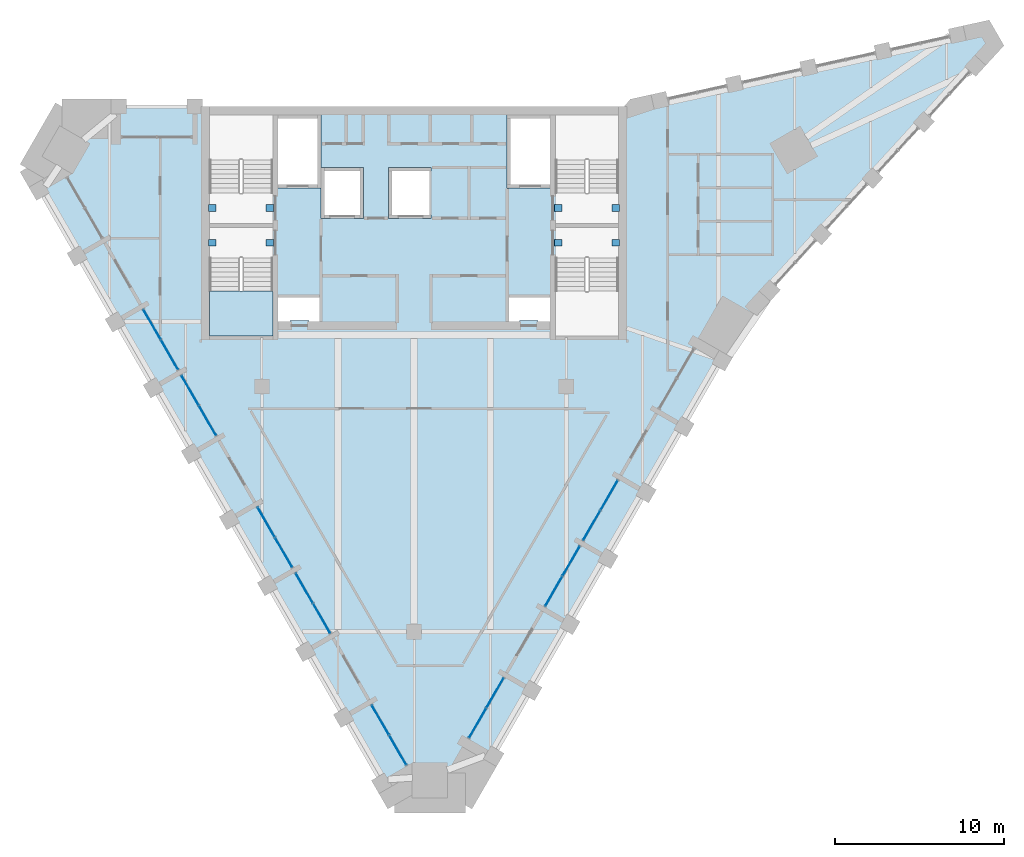
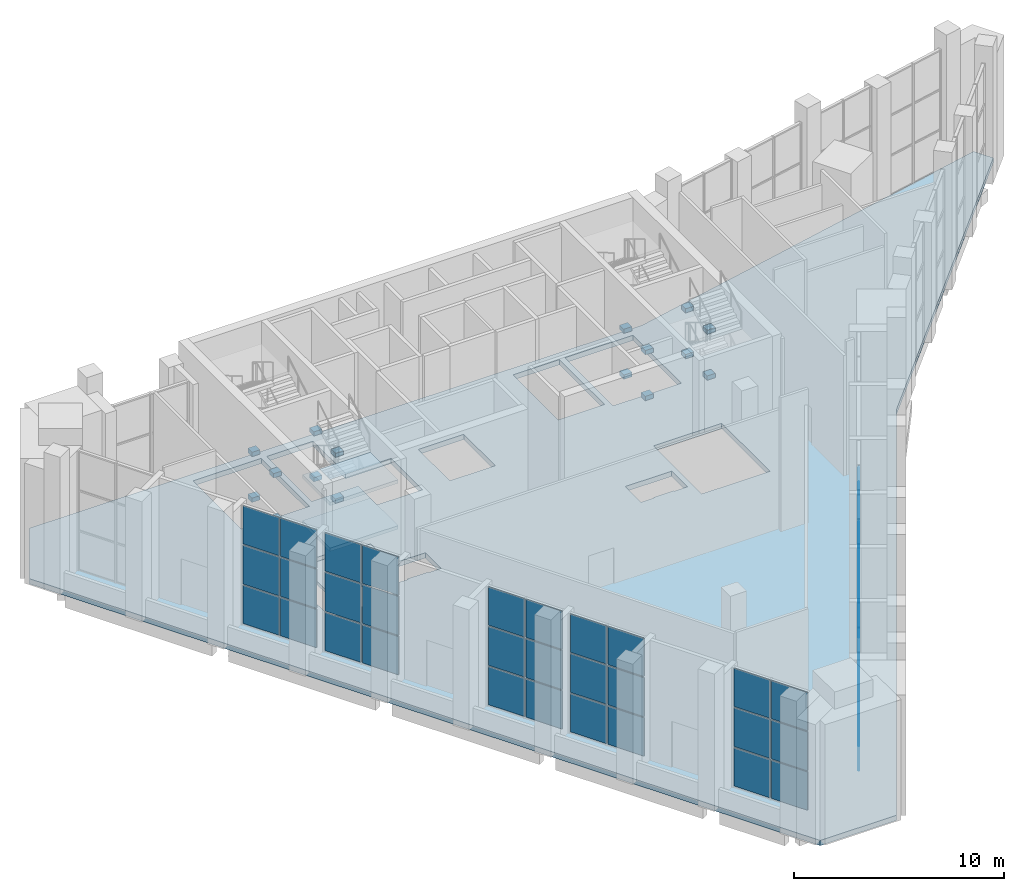
# One storey, part 8 of 16: 47 plates, 16 beams, 4 slabs, 9 elements without a shape of their own.
"""IFC4 building model written with IfcOpenShell, lengths in metres."""

from ifc_helpers import new_model, si_unit, direction, frame, origin, origin_2d, place, context, subcontext, project, spatial, polyline, rectangle, outline, extrude, material, layer, layer_set, material_profile, profile_set, type_object, element, aggregate, save


model = new_model("IFC4")

# Units and contexts
model_context = context("Model", 3, precision=1e-05, world=origin(), true_north=direction((0.0, 1.0)))
body_context = subcontext(model_context, "Body", "Model", "MODEL_VIEW")
ifc_project = project(units=[si_unit("LENGTHUNIT", "METRE"), si_unit("AREAUNIT", "SQUARE_METRE"), si_unit("VOLUMEUNIT", "CUBIC_METRE"), si_unit("PLANEANGLEUNIT", "RADIAN"), si_unit("MASSUNIT", "GRAM", prefix="KILO")], contexts=[model_context])

# Site, building, storey
site_placement = place(None, origin())
site = spatial("IfcSite", under=ifc_project, at=site_placement, CompositionType="ELEMENT")
building_placement = place(site_placement, origin())
building = spatial("IfcBuilding", under=site, at=building_placement, Name="Calabash Gate Tower", CompositionType="ELEMENT")
storey_placement = place(building_placement, frame((0.0, 0.0, 302.5)))
storey = spatial("IfcBuildingStorey", under=building, at=storey_placement, Name="L72", CompositionType="ELEMENT", Elevation=302.5)

# Beams
ifc_material_1 = material(Name="Concrete C60/75", Category="concrete")
ifc_material_profile = material_profile(ifc_material_1, rectangle(XDim=0.39990234375, YDim=0.25, at=origin_2d()))
ifc_profile_set = profile_set([ifc_material_profile], Name="Concrete C60/75")
beam_type = type_object("IfcBeamType", Name="Landing corbel RC 400x250 Concrete C60/75", PredefinedType="BEAM", material=ifc_profile_set)
for number, where, z_axis, x_axis, name in (
    (1, (-12.14990234375, 13.052978515625, 2.341064453125), (1.0, 0.0, 0.0), (0.0, 1.0, 0.0), "Landing corbel ST1-L72/L2 west"),
    (2, (-8.300048828125, 13.052978515625, 2.341064453125), (-1.0, 0.0, 0.0), (0.0, -1.0, 0.0), "Landing corbel ST1-L72/L2 east"),
    (3, (-12.14990234375, 13.052978515625, 5.007080078125), (1.0, 0.0, 0.0), (0.0, 1.0, 0.0), "Landing corbel ST1-L72/L4 west"),
    (4, (-8.300048828125, 13.052978515625, 5.007080078125), (-1.0, 0.0, 0.0), (0.0, -1.0, 0.0), "Landing corbel ST1-L72/L4 east"),
    (5, (-12.14990234375, 11.0029296875, 2.341064453125), (1.0, 0.0, 0.0), (0.0, 1.0, 0.0), "Landing corbel ST2-L72/L2 west"),
    (6, (-8.300048828125, 11.0029296875, 2.341064453125), (-1.0, 0.0, 0.0), (0.0, -1.0, 0.0), "Landing corbel ST2-L72/L2 east"),
    (7, (-12.14990234375, 11.0029296875, 5.007080078125), (1.0, 0.0, 0.0), (0.0, 1.0, 0.0), "Landing corbel ST2-L72/L4 west"),
    (8, (-8.300048828125, 11.0029296875, 5.007080078125), (-1.0, 0.0, 0.0), (0.0, -1.0, 0.0), "Landing corbel ST2-L72/L4 east"),
    (9, (8.300048828125, 13.052978515625, 2.341064453125), (1.0, 0.0, 0.0), (0.0, 1.0, 0.0), "Landing corbel ST3-L72/L2 west"),
    (10, (12.14990234375, 13.052978515625, 2.341064453125), (-1.0, 0.0, 0.0), (0.0, -1.0, 0.0), "Landing corbel ST3-L72/L2 east"),
    (11, (8.300048828125, 13.052978515625, 5.007080078125), (1.0, 0.0, 0.0), (0.0, 1.0, 0.0), "Landing corbel ST3-L72/L4 west"),
    (12, (12.14990234375, 13.052978515625, 5.007080078125), (-1.0, 0.0, 0.0), (0.0, -1.0, 0.0), "Landing corbel ST3-L72/L4 east"),
    (13, (8.300048828125, 11.0029296875, 2.341064453125), (1.0, 0.0, 0.0), (0.0, 1.0, 0.0), "Landing corbel ST4-L72/L2 west"),
    (14, (12.14990234375, 11.0029296875, 2.341064453125), (-1.0, 0.0, 0.0), (0.0, -1.0, 0.0), "Landing corbel ST4-L72/L2 east"),
    (15, (8.300048828125, 11.0029296875, 5.007080078125), (1.0, 0.0, 0.0), (0.0, 1.0, 0.0), "Landing corbel ST4-L72/L4 west"),
    (16, (12.14990234375, 11.0029296875, 5.007080078125), (-1.0, 0.0, 0.0), (0.0, -1.0, 0.0), "Landing corbel ST4-L72/L4 east"),
):
    element("IfcBeam", number, at=place(storey_placement, frame(where, z_axis=z_axis, x_axis=x_axis)), inside=storey, type_object=beam_type, Name=name, PredefinedType="BEAM", context=body_context, shape_type="SweptSolid", body=[
        extrude(rectangle(XDim=0.39990234375, YDim=0.25, at=origin_2d()), origin(), (0.0, 0.0, 1.0), 0.449951171875),
    ])

# Curtain wall, plates
ifc_material_2 = material(Name="Anodised aluminium frame, bronze finish, clear laminated impact-rated glazing", Category="aluminium")
curtain_wall_type = type_object("IfcCurtainWallType", Name="Curtain wall CWO observation deck wall", PredefinedType="NOTDEFINED", material=ifc_material_2)
curtain_wall_1_placement = place(storey_placement, origin())
curtain_wall_1 = element("IfcCurtainWall", 17, at=curtain_wall_1_placement, inside=storey, type_object=curtain_wall_type, Name="Curtain wall CWO L72 SW0.3", PredefinedType="NOTDEFINED")
ifc_material_3 = material(Name="Clear laminated impact-rated glazing", Category="glass")
ifc_layer_1 = layer(ifc_material_3, 0.0439453125)
ifc_layer_set_1 = layer_set([ifc_layer_1], Name="Glass panel CWO 44")
plate_type = type_object("IfcPlateType", Name="Glass panel CWO 44", PredefinedType="CURTAIN_PANEL", material=ifc_layer_set_1)
plate_1_placement = place(storey_placement, frame((-15.49365234375, 6.17041015625, 0.07470703125), z_axis=(0.0, 0.0, 1.0), x_axis=(0.499999968652, -0.866025421884, 0.0)))
plate_1 = element("IfcPlate", 18, at=plate_1_placement, type_object=plate_type, Name="CWO panel 1.1", PredefinedType="CURTAIN_PANEL", context=body_context, shape_type="SweptSolid", body=[
    extrude(rectangle(XDim=1.987548828125, YDim=0.0439453125, at=origin_2d()), origin(), (0.0, 0.0, 1.0), 2.220947265625),
])
plate_2_placement = place(storey_placement, frame((-15.49365234375, 6.17041015625, 2.370849609375), z_axis=(0.0, 0.0, 1.0), x_axis=(0.499999968652, -0.866025421884, 0.0)))
plate_2 = element("IfcPlate", 19, at=plate_2_placement, type_object=plate_type, Name="CWO panel 1.2", PredefinedType="CURTAIN_PANEL", context=body_context, shape_type="SweptSolid", body=[
    extrude(rectangle(XDim=1.987548828125, YDim=0.0439453125, at=origin_2d()), origin(), (0.0, 0.0, 1.0), 2.25830078125),
])
plate_3_placement = place(storey_placement, frame((-15.49365234375, 6.17041015625, 4.7041015625), z_axis=(0.0, 0.0, 1.0), x_axis=(0.499999968652, -0.866025421884, 0.0)))
plate_3 = element("IfcPlate", 20, at=plate_3_placement, type_object=plate_type, Name="CWO panel 1.3", PredefinedType="CURTAIN_PANEL", context=body_context, shape_type="SweptSolid", body=[
    extrude(rectangle(XDim=1.987548828125, YDim=0.0439453125, at=origin_2d()), origin(), (0.0, 0.0, 1.0), 2.220947265625),
])
plate_4_placement = place(storey_placement, frame((-14.46240234375, 4.38427734375, 0.07470703125), z_axis=(0.0, 0.0, 1.0), x_axis=(0.499999968652, -0.866025421884, 0.0)))
plate_4 = element("IfcPlate", 21, at=plate_4_placement, type_object=plate_type, Name="CWO panel 2.1", PredefinedType="CURTAIN_PANEL", context=body_context, shape_type="SweptSolid", body=[
    extrude(rectangle(XDim=1.987548828125, YDim=0.0439453125, at=origin_2d()), origin(), (0.0, 0.0, 1.0), 2.220947265625),
])
plate_5_placement = place(storey_placement, frame((-14.46240234375, 4.38427734375, 2.370849609375), z_axis=(0.0, 0.0, 1.0), x_axis=(0.499999968652, -0.866025421884, 0.0)))
plate_5 = element("IfcPlate", 22, at=plate_5_placement, type_object=plate_type, Name="CWO panel 2.2", PredefinedType="CURTAIN_PANEL", context=body_context, shape_type="SweptSolid", body=[
    extrude(rectangle(XDim=1.987548828125, YDim=0.0439453125, at=origin_2d()), origin(), (0.0, 0.0, 1.0), 2.25830078125),
])
plate_6_placement = place(storey_placement, frame((-14.46240234375, 4.38427734375, 4.7041015625), z_axis=(0.0, 0.0, 1.0), x_axis=(0.499999968652, -0.866025421884, 0.0)))
plate_6 = element("IfcPlate", 23, at=plate_6_placement, type_object=plate_type, Name="CWO panel 2.3", PredefinedType="CURTAIN_PANEL", context=body_context, shape_type="SweptSolid", body=[
    extrude(rectangle(XDim=1.987548828125, YDim=0.0439453125, at=origin_2d()), origin(), (0.0, 0.0, 1.0), 2.220947265625),
])
aggregate(curtain_wall_1, [plate_1, plate_2, plate_3, plate_4, plate_5, plate_6])

curtain_wall_2_placement = place(storey_placement, origin())
curtain_wall_2 = element("IfcCurtainWall", 24, at=curtain_wall_2_placement, inside=storey, type_object=curtain_wall_type, Name="Curtain wall CWO L72 SW0.4", PredefinedType="NOTDEFINED")
plate_7_placement = place(storey_placement, frame((-13.24365234375, 2.273193359375, 0.07470703125), z_axis=(0.0, 0.0, 1.0), x_axis=(0.500000071751, -0.866025362359, 0.0)))
plate_7 = element("IfcPlate", 25, at=plate_7_placement, type_object=plate_type, Name="CWO panel 1.1", PredefinedType="CURTAIN_PANEL", context=body_context, shape_type="SweptSolid", body=[
    extrude(rectangle(XDim=1.987548828125, YDim=0.0439453125, at=origin_2d()), origin(), (0.0, 0.0, 1.0), 2.220947265625),
])
plate_8_placement = place(storey_placement, frame((-13.24365234375, 2.273193359375, 2.370849609375), z_axis=(0.0, 0.0, 1.0), x_axis=(0.500000071751, -0.866025362359, 0.0)))
plate_8 = element("IfcPlate", 26, at=plate_8_placement, type_object=plate_type, Name="CWO panel 1.2", PredefinedType="CURTAIN_PANEL", context=body_context, shape_type="SweptSolid", body=[
    extrude(rectangle(XDim=1.987548828125, YDim=0.0439453125, at=origin_2d()), origin(), (0.0, 0.0, 1.0), 2.25830078125),
])
plate_9_placement = place(storey_placement, frame((-13.24365234375, 2.273193359375, 4.7041015625), z_axis=(0.0, 0.0, 1.0), x_axis=(0.500000071751, -0.866025362359, 0.0)))
plate_9 = element("IfcPlate", 27, at=plate_9_placement, type_object=plate_type, Name="CWO panel 1.3", PredefinedType="CURTAIN_PANEL", context=body_context, shape_type="SweptSolid", body=[
    extrude(rectangle(XDim=1.987548828125, YDim=0.0439453125, at=origin_2d()), origin(), (0.0, 0.0, 1.0), 2.220947265625),
])
plate_10_placement = place(storey_placement, frame((-12.21240234375, 0.487060546875, 0.07470703125), z_axis=(0.0, 0.0, 1.0), x_axis=(0.500000071751, -0.866025362359, 0.0)))
plate_10 = element("IfcPlate", 28, at=plate_10_placement, type_object=plate_type, Name="CWO panel 2.1", PredefinedType="CURTAIN_PANEL", context=body_context, shape_type="SweptSolid", body=[
    extrude(rectangle(XDim=1.987548828125, YDim=0.0439453125, at=origin_2d()), origin(), (0.0, 0.0, 1.0), 2.220947265625),
])
plate_11_placement = place(storey_placement, frame((-12.21240234375, 0.487060546875, 2.370849609375), z_axis=(0.0, 0.0, 1.0), x_axis=(0.500000071751, -0.866025362359, 0.0)))
plate_11 = element("IfcPlate", 29, at=plate_11_placement, type_object=plate_type, Name="CWO panel 2.2", PredefinedType="CURTAIN_PANEL", context=body_context, shape_type="SweptSolid", body=[
    extrude(rectangle(XDim=1.987548828125, YDim=0.0439453125, at=origin_2d()), origin(), (0.0, 0.0, 1.0), 2.25830078125),
])
plate_12_placement = place(storey_placement, frame((-12.21240234375, 0.487060546875, 4.7041015625), z_axis=(0.0, 0.0, 1.0), x_axis=(0.500000071751, -0.866025362359, 0.0)))
plate_12 = element("IfcPlate", 30, at=plate_12_placement, type_object=plate_type, Name="CWO panel 2.3", PredefinedType="CURTAIN_PANEL", context=body_context, shape_type="SweptSolid", body=[
    extrude(rectangle(XDim=1.987548828125, YDim=0.0439453125, at=origin_2d()), origin(), (0.0, 0.0, 1.0), 2.220947265625),
])
aggregate(curtain_wall_2, [plate_7, plate_8, plate_9, plate_10, plate_11, plate_12])

curtain_wall_3_placement = place(storey_placement, origin())
curtain_wall_3 = element("IfcCurtainWall", 31, at=curtain_wall_3_placement, inside=storey, type_object=curtain_wall_type, Name="Curtain wall CWO L72 SW0.6", PredefinedType="NOTDEFINED")
plate_13_placement = place(storey_placement, frame((-8.74365234375, -5.52099609375, 0.07470703125), z_axis=(0.0, 0.0, 1.0), x_axis=(0.499999968652, -0.866025421884, 0.0)))
plate_13 = element("IfcPlate", 32, at=plate_13_placement, type_object=plate_type, Name="CWO panel 1.1", PredefinedType="CURTAIN_PANEL", context=body_context, shape_type="SweptSolid", body=[
    extrude(rectangle(XDim=1.987548828125, YDim=0.0439453125, at=origin_2d()), origin(), (0.0, 0.0, 1.0), 2.220947265625),
])
plate_14_placement = place(storey_placement, frame((-8.74365234375, -5.52099609375, 2.370849609375), z_axis=(0.0, 0.0, 1.0), x_axis=(0.499999968652, -0.866025421884, 0.0)))
plate_14 = element("IfcPlate", 33, at=plate_14_placement, type_object=plate_type, Name="CWO panel 1.2", PredefinedType="CURTAIN_PANEL", context=body_context, shape_type="SweptSolid", body=[
    extrude(rectangle(XDim=1.987548828125, YDim=0.0439453125, at=origin_2d()), origin(), (0.0, 0.0, 1.0), 2.25830078125),
])
plate_15_placement = place(storey_placement, frame((-8.74365234375, -5.52099609375, 4.7041015625), z_axis=(0.0, 0.0, 1.0), x_axis=(0.499999968652, -0.866025421884, 0.0)))
plate_15 = element("IfcPlate", 34, at=plate_15_placement, type_object=plate_type, Name="CWO panel 1.3", PredefinedType="CURTAIN_PANEL", context=body_context, shape_type="SweptSolid", body=[
    extrude(rectangle(XDim=1.987548828125, YDim=0.0439453125, at=origin_2d()), origin(), (0.0, 0.0, 1.0), 2.220947265625),
])
plate_16_placement = place(storey_placement, frame((-7.71240234375, -7.30712890625, 0.07470703125), z_axis=(0.0, 0.0, 1.0), x_axis=(0.499999968652, -0.866025421884, 0.0)))
plate_16 = element("IfcPlate", 35, at=plate_16_placement, type_object=plate_type, Name="CWO panel 2.1", PredefinedType="CURTAIN_PANEL", context=body_context, shape_type="SweptSolid", body=[
    extrude(rectangle(XDim=1.987548828125, YDim=0.0439453125, at=origin_2d()), origin(), (0.0, 0.0, 1.0), 2.220947265625),
])
plate_17_placement = place(storey_placement, frame((-7.71240234375, -7.30712890625, 2.370849609375), z_axis=(0.0, 0.0, 1.0), x_axis=(0.499999968652, -0.866025421884, 0.0)))
plate_17 = element("IfcPlate", 36, at=plate_17_placement, type_object=plate_type, Name="CWO panel 2.2", PredefinedType="CURTAIN_PANEL", context=body_context, shape_type="SweptSolid", body=[
    extrude(rectangle(XDim=1.987548828125, YDim=0.0439453125, at=origin_2d()), origin(), (0.0, 0.0, 1.0), 2.25830078125),
])
plate_18_placement = place(storey_placement, frame((-7.71240234375, -7.30712890625, 4.7041015625), z_axis=(0.0, 0.0, 1.0), x_axis=(0.499999968652, -0.866025421884, 0.0)))
plate_18 = element("IfcPlate", 37, at=plate_18_placement, type_object=plate_type, Name="CWO panel 2.3", PredefinedType="CURTAIN_PANEL", context=body_context, shape_type="SweptSolid", body=[
    extrude(rectangle(XDim=1.987548828125, YDim=0.0439453125, at=origin_2d()), origin(), (0.0, 0.0, 1.0), 2.220947265625),
])
aggregate(curtain_wall_3, [plate_13, plate_14, plate_15, plate_16, plate_17, plate_18])

curtain_wall_4_placement = place(storey_placement, origin())
curtain_wall_4 = element("IfcCurtainWall", 38, at=curtain_wall_4_placement, inside=storey, type_object=curtain_wall_type, Name="Curtain wall CWO L72 SW0.7", PredefinedType="NOTDEFINED")
plate_19_placement = place(storey_placement, frame((-6.49365234375, -9.41796875, 0.07470703125), z_axis=(0.0, 0.0, 1.0), x_axis=(0.500000250319, -0.866025259262, 0.0)))
plate_19 = element("IfcPlate", 39, at=plate_19_placement, type_object=plate_type, Name="CWO panel 1.1", PredefinedType="CURTAIN_PANEL", context=body_context, shape_type="SweptSolid", body=[
    extrude(rectangle(XDim=1.987548828125, YDim=0.0439453125, at=origin_2d()), origin(), (0.0, 0.0, 1.0), 2.220947265625),
])
plate_20_placement = place(storey_placement, frame((-6.49365234375, -9.41796875, 2.370849609375), z_axis=(0.0, 0.0, 1.0), x_axis=(0.500000250319, -0.866025259262, 0.0)))
plate_20 = element("IfcPlate", 40, at=plate_20_placement, type_object=plate_type, Name="CWO panel 1.2", PredefinedType="CURTAIN_PANEL", context=body_context, shape_type="SweptSolid", body=[
    extrude(rectangle(XDim=1.987548828125, YDim=0.0439453125, at=origin_2d()), origin(), (0.0, 0.0, 1.0), 2.25830078125),
])
plate_21_placement = place(storey_placement, frame((-6.49365234375, -9.41796875, 4.7041015625), z_axis=(0.0, 0.0, 1.0), x_axis=(0.500000250319, -0.866025259262, 0.0)))
plate_21 = element("IfcPlate", 41, at=plate_21_placement, type_object=plate_type, Name="CWO panel 1.3", PredefinedType="CURTAIN_PANEL", context=body_context, shape_type="SweptSolid", body=[
    extrude(rectangle(XDim=1.987548828125, YDim=0.0439453125, at=origin_2d()), origin(), (0.0, 0.0, 1.0), 2.220947265625),
])
plate_22_placement = place(storey_placement, frame((-5.46240234375, -11.204345703125, 0.07470703125), z_axis=(0.0, 0.0, 1.0), x_axis=(0.500000250319, -0.866025259262, 0.0)))
plate_22 = element("IfcPlate", 42, at=plate_22_placement, type_object=plate_type, Name="CWO panel 2.1", PredefinedType="CURTAIN_PANEL", context=body_context, shape_type="SweptSolid", body=[
    extrude(rectangle(XDim=1.987548828125, YDim=0.0439453125, at=origin_2d()), origin(), (0.0, 0.0, 1.0), 2.220947265625),
])
plate_23_placement = place(storey_placement, frame((-5.46240234375, -11.204345703125, 2.370849609375), z_axis=(0.0, 0.0, 1.0), x_axis=(0.500000250319, -0.866025259262, 0.0)))
plate_23 = element("IfcPlate", 43, at=plate_23_placement, type_object=plate_type, Name="CWO panel 2.2", PredefinedType="CURTAIN_PANEL", context=body_context, shape_type="SweptSolid", body=[
    extrude(rectangle(XDim=1.987548828125, YDim=0.0439453125, at=origin_2d()), origin(), (0.0, 0.0, 1.0), 2.25830078125),
])
plate_24_placement = place(storey_placement, frame((-5.46240234375, -11.204345703125, 4.7041015625), z_axis=(0.0, 0.0, 1.0), x_axis=(0.500000250319, -0.866025259262, 0.0)))
plate_24 = element("IfcPlate", 44, at=plate_24_placement, type_object=plate_type, Name="CWO panel 2.3", PredefinedType="CURTAIN_PANEL", context=body_context, shape_type="SweptSolid", body=[
    extrude(rectangle(XDim=1.987548828125, YDim=0.0439453125, at=origin_2d()), origin(), (0.0, 0.0, 1.0), 2.220947265625),
])
aggregate(curtain_wall_4, [plate_19, plate_20, plate_21, plate_22, plate_23, plate_24])

curtain_wall_5_placement = place(storey_placement, origin())
curtain_wall_5 = element("IfcCurtainWall", 45, at=curtain_wall_5_placement, inside=storey, type_object=curtain_wall_type, Name="Curtain wall CWO L72 SW0.9", PredefinedType="NOTDEFINED")
plate_25_placement = place(storey_placement, frame((-1.99365234375, -17.21240234375, 0.07470703125), z_axis=(0.0, 0.0, 1.0), x_axis=(0.499999968652, -0.866025421884, 0.0)))
plate_25 = element("IfcPlate", 46, at=plate_25_placement, type_object=plate_type, Name="CWO panel 1.1", PredefinedType="CURTAIN_PANEL", context=body_context, shape_type="SweptSolid", body=[
    extrude(rectangle(XDim=1.987548828125, YDim=0.0439453125, at=origin_2d()), origin(), (0.0, 0.0, 1.0), 2.220947265625),
])
plate_26_placement = place(storey_placement, frame((-1.99365234375, -17.21240234375, 2.370849609375), z_axis=(0.0, 0.0, 1.0), x_axis=(0.499999968652, -0.866025421884, 0.0)))
plate_26 = element("IfcPlate", 47, at=plate_26_placement, type_object=plate_type, Name="CWO panel 1.2", PredefinedType="CURTAIN_PANEL", context=body_context, shape_type="SweptSolid", body=[
    extrude(rectangle(XDim=1.987548828125, YDim=0.0439453125, at=origin_2d()), origin(), (0.0, 0.0, 1.0), 2.25830078125),
])
plate_27_placement = place(storey_placement, frame((-1.99365234375, -17.21240234375, 4.7041015625), z_axis=(0.0, 0.0, 1.0), x_axis=(0.499999968652, -0.866025421884, 0.0)))
plate_27 = element("IfcPlate", 48, at=plate_27_placement, type_object=plate_type, Name="CWO panel 1.3", PredefinedType="CURTAIN_PANEL", context=body_context, shape_type="SweptSolid", body=[
    extrude(rectangle(XDim=1.987548828125, YDim=0.0439453125, at=origin_2d()), origin(), (0.0, 0.0, 1.0), 2.220947265625),
])
plate_28_placement = place(storey_placement, frame((-0.96240234375, -18.99853515625, 0.07470703125), z_axis=(0.0, 0.0, 1.0), x_axis=(0.499999968652, -0.866025421884, 0.0)))
plate_28 = element("IfcPlate", 49, at=plate_28_placement, type_object=plate_type, Name="CWO panel 2.1", PredefinedType="CURTAIN_PANEL", context=body_context, shape_type="SweptSolid", body=[
    extrude(rectangle(XDim=1.987548828125, YDim=0.0439453125, at=origin_2d()), origin(), (0.0, 0.0, 1.0), 2.220947265625),
])
plate_29_placement = place(storey_placement, frame((-0.96240234375, -18.99853515625, 2.370849609375), z_axis=(0.0, 0.0, 1.0), x_axis=(0.499999968652, -0.866025421884, 0.0)))
plate_29 = element("IfcPlate", 50, at=plate_29_placement, type_object=plate_type, Name="CWO panel 2.2", PredefinedType="CURTAIN_PANEL", context=body_context, shape_type="SweptSolid", body=[
    extrude(rectangle(XDim=1.987548828125, YDim=0.0439453125, at=origin_2d()), origin(), (0.0, 0.0, 1.0), 2.25830078125),
])
plate_30_placement = place(storey_placement, frame((-0.96240234375, -18.99853515625, 4.7041015625), z_axis=(0.0, 0.0, 1.0), x_axis=(0.499999968652, -0.866025421884, 0.0)))
plate_30 = element("IfcPlate", 51, at=plate_30_placement, type_object=plate_type, Name="CWO panel 2.3", PredefinedType="CURTAIN_PANEL", context=body_context, shape_type="SweptSolid", body=[
    extrude(rectangle(XDim=1.987548828125, YDim=0.0439453125, at=origin_2d()), origin(), (0.0, 0.0, 1.0), 2.220947265625),
])
aggregate(curtain_wall_5, [plate_25, plate_26, plate_27, plate_28, plate_29, plate_30])

curtain_wall_6_placement = place(storey_placement, origin())
curtain_wall_6 = element("IfcCurtainWall", 52, at=curtain_wall_6_placement, inside=storey, type_object=curtain_wall_type, Name="Curtain wall CWO L72 SE2.1", PredefinedType="NOTDEFINED")
plate_31_placement = place(storey_placement, frame((3.758544921875, -17.397705078125, 0.07470703125), z_axis=(0.0, 0.0, 1.0), x_axis=(0.500000071751, 0.866025362359, 0.0)))
plate_31 = element("IfcPlate", 53, at=plate_31_placement, type_object=plate_type, Name="CWO panel 1.1", PredefinedType="CURTAIN_PANEL", context=body_context, shape_type="SweptSolid", body=[
    extrude(rectangle(XDim=1.987548828125, YDim=0.0439453125, at=origin_2d()), origin(), (0.0, 0.0, 1.0), 2.220947265625),
])
plate_32_placement = place(storey_placement, frame((3.758544921875, -17.397705078125, 2.370849609375), z_axis=(0.0, 0.0, 1.0), x_axis=(0.500000071751, 0.866025362359, 0.0)))
plate_32 = element("IfcPlate", 54, at=plate_32_placement, type_object=plate_type, Name="CWO panel 1.2", PredefinedType="CURTAIN_PANEL", context=body_context, shape_type="SweptSolid", body=[
    extrude(rectangle(XDim=1.987548828125, YDim=0.0439453125, at=origin_2d()), origin(), (0.0, 0.0, 1.0), 2.25830078125),
])
plate_33_placement = place(storey_placement, frame((3.758544921875, -17.397705078125, 4.7041015625), z_axis=(0.0, 0.0, 1.0), x_axis=(0.500000071751, 0.866025362359, 0.0)))
plate_33 = element("IfcPlate", 55, at=plate_33_placement, type_object=plate_type, Name="CWO panel 1.3", PredefinedType="CURTAIN_PANEL", context=body_context, shape_type="SweptSolid", body=[
    extrude(rectangle(XDim=1.987548828125, YDim=0.0439453125, at=origin_2d()), origin(), (0.0, 0.0, 1.0), 2.220947265625),
])
plate_34_placement = place(storey_placement, frame((4.789794921875, -15.611572265625, 0.07470703125), z_axis=(0.0, 0.0, 1.0), x_axis=(0.500000071751, 0.866025362359, 0.0)))
plate_34 = element("IfcPlate", 56, at=plate_34_placement, type_object=plate_type, Name="CWO panel 2.1", PredefinedType="CURTAIN_PANEL", context=body_context, shape_type="SweptSolid", body=[
    extrude(rectangle(XDim=1.987548828125, YDim=0.0439453125, at=origin_2d()), origin(), (0.0, 0.0, 1.0), 2.220947265625),
])
plate_35_placement = place(storey_placement, frame((4.789794921875, -15.611572265625, 2.370849609375), z_axis=(0.0, 0.0, 1.0), x_axis=(0.500000071751, 0.866025362359, 0.0)))
plate_35 = element("IfcPlate", 57, at=plate_35_placement, type_object=plate_type, Name="CWO panel 2.2", PredefinedType="CURTAIN_PANEL", context=body_context, shape_type="SweptSolid", body=[
    extrude(rectangle(XDim=1.987548828125, YDim=0.0439453125, at=origin_2d()), origin(), (0.0, 0.0, 1.0), 2.25830078125),
])
plate_36_placement = place(storey_placement, frame((4.789794921875, -15.611572265625, 4.7041015625), z_axis=(0.0, 0.0, 1.0), x_axis=(0.500000071751, 0.866025362359, 0.0)))
plate_36 = element("IfcPlate", 58, at=plate_36_placement, type_object=plate_type, Name="CWO panel 2.3", PredefinedType="CURTAIN_PANEL", context=body_context, shape_type="SweptSolid", body=[
    extrude(rectangle(XDim=1.987548828125, YDim=0.0439453125, at=origin_2d()), origin(), (0.0, 0.0, 1.0), 2.220947265625),
])
aggregate(curtain_wall_6, [plate_31, plate_32, plate_33, plate_34, plate_35, plate_36])

curtain_wall_7_placement = place(storey_placement, origin())
curtain_wall_7 = element("IfcCurtainWall", 59, at=curtain_wall_7_placement, inside=storey, type_object=curtain_wall_type, Name="Curtain wall CWO L72 SE2.3", PredefinedType="NOTDEFINED")
plate_37_placement = place(storey_placement, frame((8.258544921875, -9.603515625, 0.07470703125), z_axis=(0.0, 0.0, 1.0), x_axis=(0.499999968652, 0.866025421884, 0.0)))
plate_37 = element("IfcPlate", 60, at=plate_37_placement, type_object=plate_type, Name="CWO panel 1.1", PredefinedType="CURTAIN_PANEL", context=body_context, shape_type="SweptSolid", body=[
    extrude(rectangle(XDim=1.987548828125, YDim=0.0439453125, at=origin_2d()), origin(), (0.0, 0.0, 1.0), 2.220947265625),
])
plate_38_placement = place(storey_placement, frame((8.258544921875, -9.603515625, 2.370849609375), z_axis=(0.0, 0.0, 1.0), x_axis=(0.499999968652, 0.866025421884, 0.0)))
plate_38 = element("IfcPlate", 61, at=plate_38_placement, type_object=plate_type, Name="CWO panel 1.2", PredefinedType="CURTAIN_PANEL", context=body_context, shape_type="SweptSolid", body=[
    extrude(rectangle(XDim=1.987548828125, YDim=0.0439453125, at=origin_2d()), origin(), (0.0, 0.0, 1.0), 2.25830078125),
])
plate_39_placement = place(storey_placement, frame((8.258544921875, -9.603515625, 4.7041015625), z_axis=(0.0, 0.0, 1.0), x_axis=(0.499999968652, 0.866025421884, 0.0)))
plate_39 = element("IfcPlate", 62, at=plate_39_placement, type_object=plate_type, Name="CWO panel 1.3", PredefinedType="CURTAIN_PANEL", context=body_context, shape_type="SweptSolid", body=[
    extrude(rectangle(XDim=1.987548828125, YDim=0.0439453125, at=origin_2d()), origin(), (0.0, 0.0, 1.0), 2.220947265625),
])
plate_40_placement = place(storey_placement, frame((9.289794921875, -7.8173828125, 0.07470703125), z_axis=(0.0, 0.0, 1.0), x_axis=(0.499999968652, 0.866025421884, 0.0)))
plate_40 = element("IfcPlate", 63, at=plate_40_placement, type_object=plate_type, Name="CWO panel 2.1", PredefinedType="CURTAIN_PANEL", context=body_context, shape_type="SweptSolid", body=[
    extrude(rectangle(XDim=1.987548828125, YDim=0.0439453125, at=origin_2d()), origin(), (0.0, 0.0, 1.0), 2.220947265625),
])
plate_41_placement = place(storey_placement, frame((9.289794921875, -7.8173828125, 2.370849609375), z_axis=(0.0, 0.0, 1.0), x_axis=(0.499999968652, 0.866025421884, 0.0)))
plate_41 = element("IfcPlate", 64, at=plate_41_placement, type_object=plate_type, Name="CWO panel 2.2", PredefinedType="CURTAIN_PANEL", context=body_context, shape_type="SweptSolid", body=[
    extrude(rectangle(XDim=1.987548828125, YDim=0.0439453125, at=origin_2d()), origin(), (0.0, 0.0, 1.0), 2.25830078125),
])
plate_42_placement = place(storey_placement, frame((9.289794921875, -7.8173828125, 4.7041015625), z_axis=(0.0, 0.0, 1.0), x_axis=(0.499999968652, 0.866025421884, 0.0)))
plate_42 = element("IfcPlate", 65, at=plate_42_placement, type_object=plate_type, Name="CWO panel 2.3", PredefinedType="CURTAIN_PANEL", context=body_context, shape_type="SweptSolid", body=[
    extrude(rectangle(XDim=1.987548828125, YDim=0.0439453125, at=origin_2d()), origin(), (0.0, 0.0, 1.0), 2.220947265625),
])
aggregate(curtain_wall_7, [plate_37, plate_38, plate_39, plate_40, plate_41, plate_42])

curtain_wall_8_placement = place(storey_placement, origin())
curtain_wall_8 = element("IfcCurtainWall", 66, at=curtain_wall_8_placement, inside=storey, type_object=curtain_wall_type, Name="Curtain wall CWO L72 SE2.4", PredefinedType="NOTDEFINED")
plate_43_placement = place(storey_placement, frame((10.508544921875, -5.706298828125, 0.07470703125), z_axis=(0.0, 0.0, 1.0), x_axis=(0.500000071751, 0.866025362359, 0.0)))
plate_43 = element("IfcPlate", 67, at=plate_43_placement, type_object=plate_type, Name="CWO panel 1.1", PredefinedType="CURTAIN_PANEL", context=body_context, shape_type="SweptSolid", body=[
    extrude(rectangle(XDim=1.987548828125, YDim=0.0439453125, at=origin_2d()), origin(), (0.0, 0.0, 1.0), 2.220947265625),
])
plate_44_placement = place(storey_placement, frame((10.508544921875, -5.706298828125, 2.370849609375), z_axis=(0.0, 0.0, 1.0), x_axis=(0.500000071751, 0.866025362359, 0.0)))
plate_44 = element("IfcPlate", 68, at=plate_44_placement, type_object=plate_type, Name="CWO panel 1.2", PredefinedType="CURTAIN_PANEL", context=body_context, shape_type="SweptSolid", body=[
    extrude(rectangle(XDim=1.987548828125, YDim=0.0439453125, at=origin_2d()), origin(), (0.0, 0.0, 1.0), 2.25830078125),
])
plate_45_placement = place(storey_placement, frame((10.508544921875, -5.706298828125, 4.7041015625), z_axis=(0.0, 0.0, 1.0), x_axis=(0.500000071751, 0.866025362359, 0.0)))
plate_45 = element("IfcPlate", 69, at=plate_45_placement, type_object=plate_type, Name="CWO panel 1.3", PredefinedType="CURTAIN_PANEL", context=body_context, shape_type="SweptSolid", body=[
    extrude(rectangle(XDim=1.987548828125, YDim=0.0439453125, at=origin_2d()), origin(), (0.0, 0.0, 1.0), 2.220947265625),
])
plate_46_placement = place(storey_placement, frame((11.539794921875, -3.920166015625, 0.07470703125), z_axis=(0.0, 0.0, 1.0), x_axis=(0.500000071751, 0.866025362359, 0.0)))
plate_46 = element("IfcPlate", 70, at=plate_46_placement, type_object=plate_type, Name="CWO panel 2.1", PredefinedType="CURTAIN_PANEL", context=body_context, shape_type="SweptSolid", body=[
    extrude(rectangle(XDim=1.987548828125, YDim=0.0439453125, at=origin_2d()), origin(), (0.0, 0.0, 1.0), 2.220947265625),
])
plate_47_placement = place(storey_placement, frame((11.539794921875, -3.920166015625, 2.370849609375), z_axis=(0.0, 0.0, 1.0), x_axis=(0.500000071751, 0.866025362359, 0.0)))
plate_47 = element("IfcPlate", 71, at=plate_47_placement, type_object=plate_type, Name="CWO panel 2.2", PredefinedType="CURTAIN_PANEL", context=body_context, shape_type="SweptSolid", body=[
    extrude(rectangle(XDim=1.987548828125, YDim=0.0439453125, at=origin_2d()), origin(), (0.0, 0.0, 1.0), 2.25830078125),
])
aggregate(curtain_wall_8, [plate_43, plate_44, plate_45, plate_46, plate_47])

# Slab
ifc_material_4 = material(Name="Concrete C40/50", Category="concrete")
ifc_layer_2 = layer(ifc_material_4, 0.300048828125)
ifc_layer_set_2 = layer_set([ifc_layer_2], Name="Reinforced concrete floor slab 300 Concrete C40/50")
slab_type_1 = type_object("IfcSlabType", Name="Reinforced concrete floor slab 300 Concrete C40/50", PredefinedType="FLOOR", material=ifc_layer_set_2)
slab_1_placement = place(storey_placement, frame((0.0, 0.0, -0.300048828125)))
element("IfcSlab", 72, at=slab_1_placement, inside=storey, type_object=slab_type_1, Name="Floor slab L72", PredefinedType="FLOOR", context=body_context, shape_type="SweptSolid", body=[
    extrude(outline(polyline([(12.88134765625, 19.052490234375), (33.783935546875, 23.664794921875), (34.326904296875, 22.724365234375), (19.88134765625, 6.92822265625), (3.034423828125, -22.251953125), (-1.16259765625, -22.251953125), (-22.9111328125, 15.41796875), (-20.812744140625, 19.052490234375), (12.88134765625, 19.052490234375)]), holes=[polyline([(-3.0, 12.45263671875), (-3.0, 15.45263671875), (-5.5, 15.45263671875), (-5.5, 18.552490234375), (-8.050048828125, 18.552490234375), (-8.050048828125, 14.252685546875), (-5.5, 14.252685546875), (-5.5, 12.45263671875), (-3.0, 12.45263671875)]), polyline([(-1.5, 12.45263671875), (1.0, 12.45263671875), (1.0, 15.45263671875), (-1.5, 15.45263671875), (-1.5, 12.45263671875)]), polyline([(8.050048828125, 18.552490234375), (5.5, 18.552490234375), (5.5, 14.252685546875), (8.050048828125, 14.252685546875), (8.050048828125, 18.552490234375)]), polyline([(-8.35009765625, 18.552490234375), (-12.10009765625, 18.552490234375), (-12.10009765625, 13.95263671875), (-8.35009765625, 13.95263671875), (-8.35009765625, 18.552490234375)]), polyline([(-12.10009765625, 10.1025390625), (-12.10009765625, 5.502685546875), (-8.35009765625, 5.502685546875), (-8.35009765625, 10.1025390625), (-12.10009765625, 10.1025390625)]), polyline([(8.35009765625, 13.95263671875), (12.10009765625, 13.95263671875), (12.10009765625, 18.552490234375), (8.35009765625, 18.552490234375), (8.35009765625, 13.95263671875)]), polyline([(12.10009765625, 5.502685546875), (12.10009765625, 10.1025390625), (8.35009765625, 10.1025390625), (8.35009765625, 5.502685546875), (12.10009765625, 5.502685546875)]), polyline([(-7.324951171875, 6.3525390625), (-7.324951171875, 6.402587890625), (-6.22509765625, 6.402587890625), (-6.22509765625, 6.3525390625), (-5.5, 6.3525390625), (-5.5, 7.8525390625), (-8.050048828125, 7.8525390625), (-8.050048828125, 6.3525390625), (-7.324951171875, 6.3525390625)]), polyline([(5.5, 6.3525390625), (6.22509765625, 6.3525390625), (6.22509765625, 6.402587890625), (7.324951171875, 6.402587890625), (7.324951171875, 6.3525390625), (8.050048828125, 6.3525390625), (8.050048828125, 7.8525390625), (5.5, 7.8525390625), (5.5, 6.3525390625)])]), origin(), (0.0, 0.0, 1.0), 0.300048828125),
])

# Stair, slabs
ifc_material_5 = material(Name="Concrete C40/50", Category="concrete")
stair_type = type_object("IfcStairType", Name="Exit stair 48 risers of 166.7 mm", PredefinedType="HALF_TURN_STAIR", material=ifc_material_5)
stair_placement = place(storey_placement, origin())
stair = element("IfcStair", 73, at=stair_placement, inside=storey, type_object=stair_type, Name="L72 Exit stair ST2", PredefinedType="HALF_TURN_STAIR")
ifc_material_6 = material(Name="Concrete C40/50", Category="concrete")
ifc_layer_3 = layer(ifc_material_6, 0.199951171875)
ifc_layer_set_3 = layer_set([ifc_layer_3], Name="Stair landing SL200")
slab_type_2 = type_object("IfcSlabType", Name="Stair landing SL200", PredefinedType="LANDING", material=ifc_layer_set_3)
slab_2_placement = place(storey_placement, frame((0.0, 0.0, 1.13330078125)))
slab_2 = element("IfcSlab", 74, at=slab_2_placement, type_object=slab_type_2, Name="ST2 landing 1", PredefinedType="LANDING", context=body_context, shape_type="SweptSolid", body=[
    extrude(outline(polyline([(-12.10009765625, 8.149658203125), (-12.10009765625, 5.502685546875), (-8.35009765625, 5.502685546875), (-8.35009765625, 8.149658203125), (-12.10009765625, 8.149658203125)])), origin(), (0.0, 0.0, 1.0), 0.199951171875),
])
slab_3_placement = place(storey_placement, frame((0.0, 0.0, 3.800048828125)))
slab_3 = element("IfcSlab", 75, at=slab_3_placement, type_object=slab_type_2, Name="ST2 landing 3", PredefinedType="LANDING", context=body_context, shape_type="SweptSolid", body=[
    extrude(outline(polyline([(-12.10009765625, 8.149658203125), (-12.10009765625, 5.502685546875), (-8.35009765625, 5.502685546875), (-8.35009765625, 8.149658203125), (-12.10009765625, 8.149658203125)])), origin(), (0.0, 0.0, 1.0), 0.199951171875),
])
slab_4_placement = place(storey_placement, frame((0.0, 0.0, 6.466552734375)))
slab_4 = element("IfcSlab", 76, at=slab_4_placement, type_object=slab_type_2, Name="ST2 landing 5", PredefinedType="LANDING", context=body_context, shape_type="SweptSolid", body=[
    extrude(outline(polyline([(-12.10009765625, 8.149658203125), (-12.10009765625, 5.502685546875), (-8.35009765625, 5.502685546875), (-8.35009765625, 8.149658203125), (-12.10009765625, 8.149658203125)])), origin(), (0.0, 0.0, 1.0), 0.2001953125),
])
aggregate(stair, [slab_2, slab_3, slab_4])

save(model, "model.ifc")
